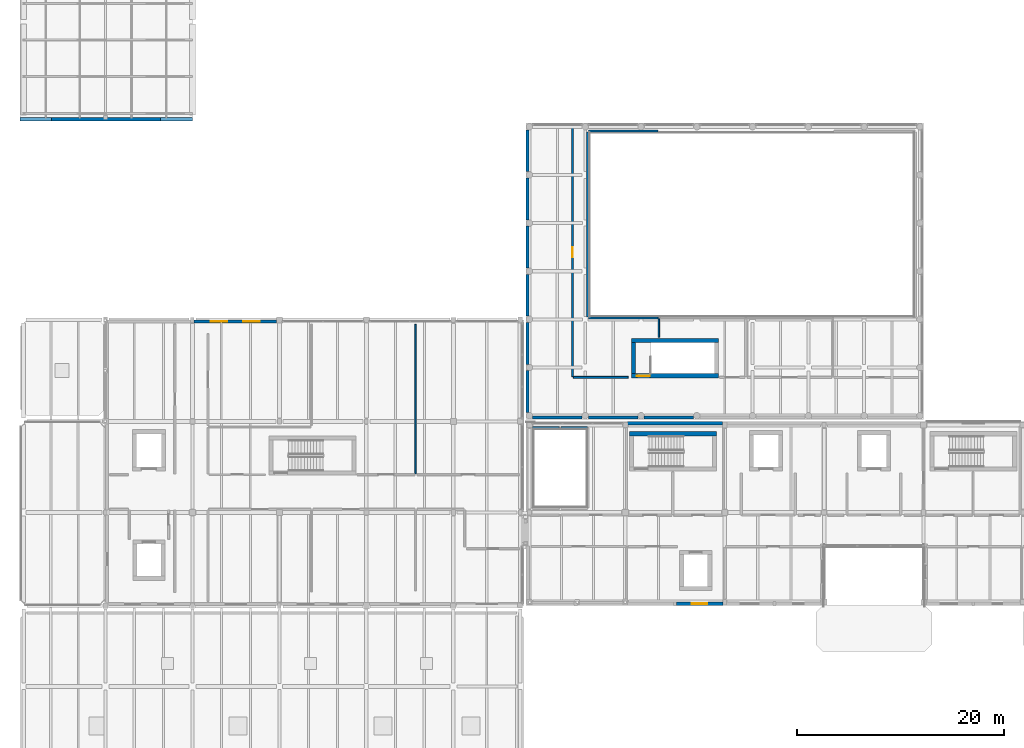
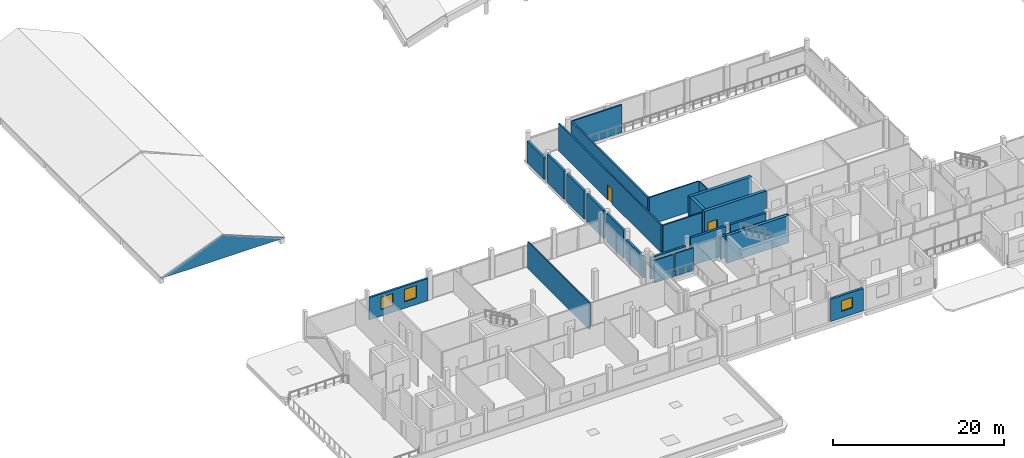
# One storey, part 42 of 66: 26 walls, 3 windows, 2 doors, 5 openings.
"""IFC4 building model written with IfcOpenShell, lengths in metres."""

import ifcopenshell
import ifcopenshell.guid

model = None  # the IFC model being written
_history = None  # IfcOwnerHistory: only IFC2X3 demands one
_inside = {}  # id of a spatial element -> (the spatial element, [elements in it])
_under = {}  # id of a project, library or spatial element -> (it, [spatial elements below it])
_declared = {}  # id of a project -> (the project, [libraries it declares])
_typed = {}  # id of a type object -> (the type object, [elements of that type])
_made_of = {}  # id of a material, layer set ... -> (it, [elements and type objects made of it])


def new_model(schema):
    """Start an empty IFC model of exactly this schema.

    Asked for "IFC4X3", IfcOpenShell would pick the latest addendum, in which some entities
    have other attributes; the version numbers below select the first issue.
    IFC2X3 requires an IfcOwnerHistory on every rooted entity: one is made here for all.
    """
    global model, _history
    if schema == "IFC4X3":
        model = ifcopenshell.file(schema_version=(4, 3, 0, 0))
    else:
        model = ifcopenshell.file(schema=schema)
    _inside.clear()
    _under.clear()
    _declared.clear()
    _typed.clear()
    _made_of.clear()
    _history = None
    if model.schema == "IFC2X3":
        org = make("IfcOrganization", Name="unknown")
        user = make(
            "IfcPersonAndOrganization",
            ThePerson=make("IfcPerson", FamilyName="unknown"),
            TheOrganization=org,
        )
        app = make(
            "IfcApplication",
            ApplicationDeveloper=org,
            Version="unknown",
            ApplicationFullName="unknown",
            ApplicationIdentifier="unknown",
        )
        _history = make(
            "IfcOwnerHistory",
            OwningUser=user,
            OwningApplication=app,
            ChangeAction="ADDED",
            CreationDate=0,
        )
    return model


def make(cls, **values):
    """One entity of the class cls with the attributes given. An attribute that is None is left unset."""
    return model.create_entity(
        cls, **{name: value for name, value in values.items() if value is not None}
    )


def rooted(cls, **values):
    """An entity with a GlobalId (a new one), such as an element, a storey or a relation."""
    return make(cls, GlobalId=ifcopenshell.guid.new(), OwnerHistory=_history, **values)


def si_unit(unit_type, name, prefix=None):
    """IfcSIUnit, for example si_unit("LENGTHUNIT", "METRE", prefix="MILLI")."""
    return make("IfcSIUnit", UnitType=unit_type, Prefix=prefix, Name=name)


def assignment(units):
    """IfcUnitAssignment: the units of a project."""
    return None if units is None else make("IfcUnitAssignment", Units=units)


def point(xyz):
    """IfcCartesianPoint."""
    return None if xyz is None else make("IfcCartesianPoint", Coordinates=xyz)


def direction(xyz):
    """IfcDirection."""
    return None if xyz is None else make("IfcDirection", DirectionRatios=xyz)


def frame(location, z_axis=None, x_axis=None):
    """IfcAxis2Placement3D, a coordinate frame: its origin and axes. An axis left out is left unset."""
    return make(
        "IfcAxis2Placement3D",
        Location=point(location),
        Axis=direction(z_axis),
        RefDirection=direction(x_axis),
    )


def frame_2d(location, x_axis=None):
    """IfcAxis2Placement2D, a coordinate frame in the plane: its origin and x axis."""
    return make(
        "IfcAxis2Placement2D", Location=point(location), RefDirection=direction(x_axis)
    )


def origin():
    """The frame at (0, 0, 0) with its axes left unset."""
    return frame((0.0, 0.0, 0.0))


def place(relative_to, where):
    """IfcLocalPlacement: puts the frame where relative to a parent placement (None: the world)."""
    return make(
        "IfcLocalPlacement", PlacementRelTo=relative_to, RelativePlacement=where
    )


def context(
    kind, dimensions, precision=None, world=None, true_north=None, identifier=None
):
    """IfcGeometricRepresentationContext, for example the 3D "Model" context."""
    return make(
        "IfcGeometricRepresentationContext",
        ContextIdentifier=identifier,
        ContextType=kind,
        CoordinateSpaceDimension=dimensions,
        Precision=precision,
        WorldCoordinateSystem=world,
        TrueNorth=true_north,
    )


def subcontext(parent, identifier, kind, view, scale=None):
    """IfcGeometricRepresentationSubContext, for example "Body" below "Model"."""
    return make(
        "IfcGeometricRepresentationSubContext",
        ContextIdentifier=identifier,
        ContextType=kind,
        ParentContext=parent,
        TargetScale=scale,
        TargetView=view,
    )


def project(units=None, contexts=None):
    """IfcProject with its units and contexts."""
    return rooted(
        "IfcProject",
        Name="project",
        RepresentationContexts=contexts,
        UnitsInContext=assignment(units),
    )


def spatial(cls, under=None, at=None, **own):
    """A site, building, storey or space (cls), placed at a placement, below another one or the project."""
    s = rooted(cls, ObjectPlacement=at, **own)
    if under is not None:
        _under.setdefault(under.id(), (under, []))[1].append(s)
    return s


def polyline(points):
    """IfcPolyline through the points."""
    return make("IfcPolyline", Points=[point(p) for p in points])


def profile(cls, at=None, kind="AREA", **sizes):
    """A parametric profile (cls). Its sizes go by their IFC names, for example OverallWidth=200.0."""
    return make(cls, ProfileType=kind, Position=at, **sizes)


def rectangle(**sizes):
    """IfcRectangleProfileDef."""
    return profile("IfcRectangleProfileDef", **sizes)


def outline(outer, holes=None, kind="AREA"):
    """IfcArbitraryClosedProfileDef: a profile drawn as a closed curve; with holes, ...WithVoids."""
    if holes is None:
        return make("IfcArbitraryClosedProfileDef", ProfileType=kind, OuterCurve=outer)
    return make(
        "IfcArbitraryProfileDefWithVoids",
        ProfileType=kind,
        OuterCurve=outer,
        InnerCurves=holes,
    )


def extrude(swept, where, along, depth):
    """IfcExtrudedAreaSolid: the profile swept, set in the frame where, extruded along a direction by depth."""
    return make(
        "IfcExtrudedAreaSolid",
        SweptArea=swept,
        Position=where,
        ExtrudedDirection=direction(along),
        Depth=depth,
    )


def shape(context_of_items, identifier, shape_type, items):
    """IfcShapeRepresentation: the items that make up one representation, for example the "Body"."""
    return make(
        "IfcShapeRepresentation",
        ContextOfItems=context_of_items,
        RepresentationIdentifier=identifier,
        RepresentationType=shape_type,
        Items=items,
    )


def material(Name=None, Category=None):
    """IfcMaterial."""
    return make("IfcMaterial", Name=Name, Category=Category)


def layer(
    of_material, thickness, ventilated=None, Name=None, Category=None, Priority=None
):
    """IfcMaterialLayer: one layer of a wall or slab, of a material (None: an air gap)."""
    return make(
        "IfcMaterialLayer",
        Material=of_material,
        LayerThickness=thickness,
        IsVentilated=ventilated,
        Name=Name,
        Category=Category,
        Priority=Priority,
    )


def layer_set(layers, Name=None):
    """IfcMaterialLayerSet."""
    return make("IfcMaterialLayerSet", MaterialLayers=layers, LayerSetName=Name)


def made_of(thing, what):
    """Note that an element or type object is made of a material, layer set ...; save() writes the relation."""
    if what is not None:
        _made_of.setdefault(what.id(), (what, []))[1].append(thing)
    return thing


def type_object(cls, material=None, **own):
    """A type object (cls), such as IfcWallType, which elements share."""
    return made_of(rooted(cls, **own), material)


def element(
    cls,
    number,
    at=None,
    inside=None,
    cuts=None,
    type_object=None,
    material=None,
    context=None,
    identifier="Body",
    shape_type=None,
    held_by="IfcProductDefinitionShape",
    body=None,
    shapes=None,
    **own,
):
    """One element of the class cls, such as IfcWall. Its Tag is "e" and its number.

    at: its placement. inside: the storey or other place that contains it. cuts: it is an
    opening in that element (IfcRelVoidsElement). A single representation is given by context,
    identifier, shape_type and body (its items); several are given by shapes. held_by: the class
    of the entity that holds the representations. save() writes the other relations.
    """
    e = rooted(cls, Tag="e%d" % number, ObjectPlacement=at, **own)
    if body is not None:
        shapes = [shape(context, identifier, shape_type, body)]
    if shapes is not None:
        e.Representation = make(held_by, Representations=shapes)
    if inside is not None:
        _inside.setdefault(inside.id(), (inside, []))[1].append(e)
    if cuts is not None:
        rooted(
            "IfcRelVoidsElement", RelatingBuildingElement=cuts, RelatedOpeningElement=e
        )
    if type_object is not None:
        _typed.setdefault(type_object.id(), (type_object, []))[1].append(e)
    return made_of(e, material)


def fill(opening, filler):
    """IfcRelFillsElement: the door or window that sits in an opening."""
    return rooted(
        "IfcRelFillsElement",
        RelatingOpeningElement=opening,
        RelatedBuildingElement=filler,
    )


def aggregate(whole, parts):
    """IfcRelAggregates: a whole, such as a stair, and the parts it consists of."""
    return rooted("IfcRelAggregates", RelatingObject=whole, RelatedObjects=parts)


def save(model, path):
    """Write the relations noted so far, then the file.

    IfcRelAggregates (storeys below a building ...), IfcRelContainedInSpatialStructure (elements
    in a storey), IfcRelDefinesByType, IfcRelAssociatesMaterial and IfcRelDeclares: one each for
    every whole, place, type object, material and project.
    """
    for whole, parts in _under.values():
        aggregate(whole, parts)
    for where, things in _inside.values():
        rooted(
            "IfcRelContainedInSpatialStructure",
            RelatedElements=things,
            RelatingStructure=where,
        )
    for kind, things in _typed.values():
        rooted("IfcRelDefinesByType", RelatedObjects=things, RelatingType=kind)
    for what, things in _made_of.values():
        rooted("IfcRelAssociatesMaterial", RelatedObjects=things, RelatingMaterial=what)
    for by, libraries in _declared.values():
        rooted("IfcRelDeclares", RelatingContext=by, RelatedDefinitions=libraries)
    model.write(path)


model = new_model("IFC4")

# Units and contexts
model_context = context("Model", 3, precision=1e-05, world=origin(), true_north=direction((0.0, 1.0)))
body_context = subcontext(model_context, "Body", "Model", "MODEL_VIEW")
ifc_project = project(units=[si_unit("LENGTHUNIT", "METRE"), si_unit("AREAUNIT", "SQUARE_METRE"), si_unit("VOLUMEUNIT", "CUBIC_METRE"), si_unit("PLANEANGLEUNIT", "RADIAN"), si_unit("MASSUNIT", "GRAM", prefix="KILO")], contexts=[model_context])

# Site, building, storey
site_placement = place(None, origin())
site = spatial("IfcSite", under=ifc_project, at=site_placement, CompositionType="ELEMENT")
building_placement = place(site_placement, origin())
building = spatial("IfcBuilding", under=site, at=building_placement, Name="Birchvale Park Specialist Clinic", CompositionType="ELEMENT")
storey_placement = place(building_placement, frame((0.0, 0.0, 5.39990234375)))
storey = spatial("IfcBuildingStorey", under=building, at=storey_placement, Name="L01", CompositionType="ELEMENT", Elevation=5.39990234375)

# Wall, opening, door
ifc_material_1 = material(Name="Concrete C40/50", Category="concrete")
ifc_layer_1 = layer(ifc_material_1, 0.39990234375)
ifc_layer_set_1 = layer_set([ifc_layer_1], Name="Concrete C40/50")
wall_type_1 = type_object("IfcWallType", Name="WL-CW-120", PredefinedType="SHEAR", material=ifc_layer_set_1)
wall_1_placement = place(storey_placement, frame((62.0, 39.0, 0.0), z_axis=(0.0, 0.0, 1.0), x_axis=(1.0, 0.0, 0.0)))
wall_1 = element("IfcWall", 1, at=wall_1_placement, inside=storey, type_object=wall_type_1, Name="L01 stair ST1 EI 120 enclosure wall (south)", PredefinedType="SHEAR", context=body_context, shape_type="SweptSolid", body=[
    extrude(rectangle(XDim=8.39990234375, YDim=0.39990234375, at=frame_2d((4.199951171875, 0.0))), origin(), (0.0, 0.0, 1.0), 3.9501953125),
])
opening_1_placement = place(wall_1_placement, frame((0.52001953125, 0.0, 0.0)))
opening_1 = element("IfcOpeningElement", 2, at=opening_1_placement, cuts=wall_1, Name="Opening ID-FD60", PredefinedType="OPENING", context=body_context, shape_type="SweptSolid", body=[
    extrude(rectangle(XDim=1.25, YDim=2.199951171875, at=frame_2d((0.625, 1.10009765625))), frame((0.0, 0.2099609375, 0.0), z_axis=(0.0, -1.0, 0.0), x_axis=(1.0, 0.0, 0.0)), (0.0, 0.0, 1.0), 0.419921875),
])
ifc_material_2 = material(Name="Solid-core birch veneer and anodised aluminium", Category="aluminium")
door_type_1 = type_object("IfcDoorType", Name="DR-ID-FD60", OperationType="NOTDEFINED", PredefinedType="DOOR", material=ifc_material_2)
door_1_placement = place(opening_1_placement, origin())
door_1 = element("IfcDoor", 3, at=door_1_placement, inside=storey, type_object=door_type_1, Name="L01 stair ST1 fire door", OperationType="SINGLE_SWING_RIGHT", OverallHeight=2.199951171875, OverallWidth=1.25, PredefinedType="DOOR", context=body_context, shape_type="SweptSolid", body=[
    extrude(rectangle(XDim=1.25, YDim=2.199951171875, at=frame_2d((0.625, 1.10009765625))), frame((0.0, 0.02490234375, 0.0), z_axis=(0.0, -1.0, 0.0), x_axis=(1.0, 0.0, 0.0)), (0.0, 0.0, 1.0), 0.050048828125),
])
fill(opening_1, door_1)

# Walls
wall_2_placement = place(storey_placement, frame((70.39990234375, 42.39990234375, 0.0), z_axis=(0.0, 0.0, 1.0), x_axis=(-1.0, 0.0, 0.0)))
element("IfcWall", 4, at=wall_2_placement, inside=storey, type_object=wall_type_1, Name="L01 stair ST1 EI 120 enclosure wall (north)", PredefinedType="SHEAR", context=body_context, shape_type="SweptSolid", body=[
    extrude(rectangle(XDim=8.39990234375, YDim=0.39990234375, at=frame_2d((4.199951171875, 0.0))), origin(), (0.0, 0.0, 1.0), 3.9501953125),
])
wall_3_placement = place(storey_placement, frame((62.199951171875, 39.199951171875, 0.0), z_axis=(0.0, 0.0, 1.0), x_axis=(0.0, 1.0, 0.0)))
element("IfcWall", 5, at=wall_3_placement, inside=storey, type_object=wall_type_1, Name="L01 stair ST1 EI 120 enclosure wall (west)", PredefinedType="SHEAR", context=body_context, shape_type="SweptSolid", body=[
    extrude(rectangle(XDim=3.0, YDim=0.39990234375, at=frame_2d((1.5, 0.0))), origin(), (0.0, 0.0, 1.0), 3.9501953125),
])
wall_4_placement = place(storey_placement, frame((70.199951171875, 33.39990234375, 0.0), z_axis=(0.0, 0.0, 1.0), x_axis=(-1.0, 0.0, 0.0)))
element("IfcWall", 6, at=wall_4_placement, inside=storey, type_object=wall_type_1, Name="L01 stair ST4 EI 120 enclosure wall (north)", PredefinedType="SHEAR", context=body_context, shape_type="SweptSolid", body=[
    extrude(rectangle(XDim=8.39990234375, YDim=0.39990234375, at=frame_2d((4.199951171875, 0.0))), origin(), (0.0, 0.0, 1.0), 3.920166015625),
])

# Wall, opening, window
ifc_material_3 = material(Name="Lime-white mineral-rendered insulated masonry", Category="masonry")
ifc_layer_2 = layer(ifc_material_3, 0.340087890625)
ifc_layer_set_2 = layer_set([ifc_layer_2], Name="Lime-white mineral-rendered insulated masonry")
wall_type_2 = type_object("IfcWallType", Name="WL-EW-01", PredefinedType="STANDARD", material=ifc_layer_set_2)
wall_5_placement = place(storey_placement, frame((66.3349609375, 16.989990234375, 0.0), z_axis=(0.0, 0.0, 1.0), x_axis=(1.0, 0.0, 0.0)))
wall_5 = element("IfcWall", 7, at=wall_5_placement, inside=storey, type_object=wall_type_2, Name="V4 L01 exterior facade wall 140", PredefinedType="STANDARD", context=body_context, shape_type="SweptSolid", body=[
    extrude(rectangle(XDim=4.485107421875, YDim=0.340087890625, at=frame_2d((2.24267578125, 0.0))), origin(), (0.0, 0.0, 1.0), 3.18505859375),
])
opening_2_placement = place(wall_5_placement, frame((1.492431640625, 0.0, 0.949951171875)))
opening_2 = element("IfcOpeningElement", 8, at=opening_2_placement, cuts=wall_5, Name="Opening W-SQ15", PredefinedType="OPENING", context=body_context, shape_type="SweptSolid", body=[
    extrude(rectangle(XDim=1.5, YDim=1.5, at=frame_2d((0.75, 0.75))), frame((0.0, 0.18017578125, 0.0), z_axis=(0.0, -1.0, 0.0), x_axis=(1.0, 0.0, 0.0)), (0.0, 0.0, 1.0), 0.360107421875),
])
ifc_material_4 = material(Name="Solar-control low-E double glazing", Category="glass")
window_type_1 = type_object("IfcWindowType", Name="WIN-W-SQ15", PartitioningType="SINGLE_PANEL", PredefinedType="WINDOW", material=ifc_material_4)
window_1_placement = place(opening_2_placement, origin())
window_1 = element("IfcWindow", 9, at=window_1_placement, inside=storey, type_object=window_type_1, Name="V4 L01 cased window 34", OverallHeight=1.5, OverallWidth=1.5, PartitioningType="SINGLE_PANEL", PredefinedType="WINDOW", context=body_context, shape_type="SweptSolid", body=[
    extrude(rectangle(XDim=1.5, YDim=1.5, at=frame_2d((0.75, 0.75))), frame((0.0, 0.030029296875, 0.0), z_axis=(0.0, -1.0, 0.0), x_axis=(1.0, 0.0, 0.0)), (0.0, 0.0, 1.0), 0.06005859375),
])
fill(opening_2, window_1)

# Walls
wall_6_placement = place(storey_placement, frame((70.794921875, 34.409912109375, 0.0), z_axis=(0.0, 0.0, 1.0), x_axis=(-1.0, 0.0, 0.0)))
element("IfcWall", 10, at=wall_6_placement, inside=storey, type_object=wall_type_2, Name="V4 L01 exterior facade wall 156", PredefinedType="STANDARD", context=body_context, shape_type="SweptSolid", body=[
    extrude(rectangle(XDim=9.159912109375, YDim=0.340087890625, at=frame_2d((4.580078125, 0.0))), origin(), (0.0, 0.0, 1.0), 3.18505859375),
])
ifc_layer_3 = layer(ifc_material_3, 0.31005859375)
ifc_layer_set_3 = layer_set([ifc_layer_3], Name="Lime-white mineral-rendered insulated masonry")
wall_type_3 = type_object("IfcWallType", Name="WL-EW-02", PredefinedType="STANDARD", material=ifc_layer_set_3)
wall_7_placement = place(storey_placement, frame((2.949951171875, 63.780029296875, 0.0), z_axis=(0.0, 0.0, 1.0), x_axis=(1.0, 0.0, 0.0)))
element("IfcWall", 11, at=wall_7_placement, inside=storey, type_object=wall_type_3, Name="L01 west park pavilion gable wall S", PredefinedType="STANDARD", context=body_context, shape_type="SweptSolid", body=[
    extrude(outline(polyline([(0.0, 0.0), (16.650146484375, 0.0), (16.64990234375, 0.0), (8.25, 3.25), (0.0, 0.0), (0.0, 0.0)])), frame((0.0, 0.155029296875, 0.0), z_axis=(0.0, -1.0, 0.0), x_axis=(1.0, 0.0, 0.0)), (0.0, 0.0, 1.0), 0.31005859375),
])
ifc_layer_4 = layer(ifc_material_3, 0.2900390625)
ifc_layer_set_4 = layer_set([ifc_layer_4], Name="Lime-white mineral-rendered insulated masonry")
wall_type_4 = type_object("IfcWallType", Name="WL-EW-03", PredefinedType="STANDARD", material=ifc_layer_set_4)
wall_8_placement = place(storey_placement, frame((52.455078125, 34.965087890625, 0.0), z_axis=(0.0, 0.0, 1.0), x_axis=(1.0, 0.0, 0.0)))
element("IfcWall", 12, at=wall_8_placement, inside=storey, type_object=wall_type_4, Name="V1 L01 exterior facade wall 114", PredefinedType="STANDARD", context=body_context, shape_type="SweptSolid", body=[
    extrude(rectangle(XDim=4.775634765625, YDim=0.2900390625, at=frame_2d((2.3876953125, 0.0))), origin(), (0.0, 0.0, 1.0), 3.065185546875),
])
wall_9_placement = place(storey_placement, frame((57.8408203125, 34.965087890625, 0.0), z_axis=(0.0, 0.0, 1.0), x_axis=(1.0, 0.0, 0.0)))
element("IfcWall", 13, at=wall_9_placement, inside=storey, type_object=wall_type_4, Name="V1 L01 exterior facade wall 115", PredefinedType="STANDARD", context=body_context, shape_type="SweptSolid", body=[
    extrude(rectangle(XDim=4.775634765625, YDim=0.2900390625, at=frame_2d((2.3876953125, 0.0))), origin(), (0.0, 0.0, 1.0), 4.02001953125),
])
wall_10_placement = place(storey_placement, frame((63.226318359375, 34.965087890625, 0.0), z_axis=(0.0, 0.0, 1.0), x_axis=(1.0, 0.0, 0.0)))
element("IfcWall", 14, at=wall_10_placement, inside=storey, type_object=wall_type_4, Name="V1 L01 exterior facade wall 116", PredefinedType="STANDARD", context=body_context, shape_type="SweptSolid", body=[
    extrude(rectangle(XDim=4.77587890625, YDim=0.2900390625, at=frame_2d((2.387939453125, 0.0))), origin(), (0.0, 0.0, 1.0), 4.02001953125),
])
wall_11_placement = place(storey_placement, frame((51.965087890625, 62.7451171875, 0.0), z_axis=(0.0, 0.0, 1.0), x_axis=(0.0, -1.0, 0.0)))
element("IfcWall", 15, at=wall_11_placement, inside=storey, type_object=wall_type_4, Name="V1 L01 exterior facade wall 121", PredefinedType="STANDARD", context=body_context, shape_type="SweptSolid", body=[
    extrude(rectangle(XDim=4.0400390625, YDim=0.2900390625, at=frame_2d((2.02001953125, 0.0))), origin(), (0.0, 0.0, 1.0), 3.065185546875),
])
for number, where, z_axis, x_axis, name in (
    (16, (51.965087890625, 58.094970703125, 0.0), (0.0, 0.0, 1.0), (0.0, -1.0, 0.0), "V1 L01 exterior facade wall 122"),
    (17, (51.965087890625, 53.445068359375, 0.0), (0.0, 0.0, 1.0), (0.0, -1.0, 0.0), "V1 L01 exterior facade wall 123"),
    (18, (51.965087890625, 48.794921875, 0.0), (0.0, 0.0, 1.0), (0.0, -1.0, 0.0), "V1 L01 exterior facade wall 124"),
    (19, (51.965087890625, 44.14501953125, 0.0), (0.0, 0.0, 1.0), (0.0, -1.0, 0.0), "V1 L01 exterior facade wall 125"),
):
    element("IfcWall", number, at=place(storey_placement, frame(where, z_axis=z_axis, x_axis=x_axis)), inside=storey, type_object=wall_type_4, Name=name, PredefinedType="STANDARD", context=body_context, shape_type="SweptSolid", body=[
        extrude(rectangle(XDim=4.0400390625, YDim=0.2900390625, at=frame_2d((2.02001953125, 0.0))), origin(), (0.0, 0.0, 1.0), 4.02001953125),
    ])
wall_12_placement = place(storey_placement, frame((51.965087890625, 39.4951171875, 0.0), z_axis=(0.0, 0.0, 1.0), x_axis=(0.0, -1.0, 0.0)))
element("IfcWall", 20, at=wall_12_placement, inside=storey, type_object=wall_type_4, Name="V1 L01 exterior facade wall 126", PredefinedType="STANDARD", context=body_context, shape_type="SweptSolid", body=[
    extrude(rectangle(XDim=4.0400390625, YDim=0.2900390625, at=frame_2d((2.02001953125, 0.0))), origin(), (0.0, 0.0, 1.0), 3.065185546875),
])

# Wall, openings, windows
ifc_layer_5 = layer(ifc_material_3, 0.27001953125)
ifc_layer_set_5 = layer_set([ifc_layer_5], Name="Lime-white mineral-rendered insulated masonry")
wall_type_5 = type_object("IfcWallType", Name="WL-EW-04", PredefinedType="STANDARD", material=ifc_layer_set_5)
wall_13_placement = place(storey_placement, frame((27.705078125, 44.2451171875, 0.0), z_axis=(0.0, 0.0, 1.0), x_axis=(-1.0, 0.0, 0.0)))
wall_13 = element("IfcWall", 21, at=wall_13_placement, inside=storey, type_object=wall_type_5, Name="V2 L01 exterior facade wall 132", PredefinedType="STANDARD", context=body_context, shape_type="SweptSolid", body=[
    extrude(rectangle(XDim=7.93505859375, YDim=0.27001953125, at=frame_2d((3.967529296875, 0.0))), origin(), (0.0, 0.0, 1.0), 3.18505859375),
])
opening_3_placement = place(wall_13_placement, frame((1.58056640625, 0.0, 0.949951171875)))
opening_3 = element("IfcOpeningElement", 22, at=opening_3_placement, cuts=wall_13, Name="Opening W-CL04", PredefinedType="OPENING", context=body_context, shape_type="SweptSolid", body=[
    extrude(rectangle(XDim=1.60009765625, YDim=1.75, at=frame_2d((0.800048828125, 0.875))), frame((0.0, 0.14501953125, 0.0), z_axis=(0.0, -1.0, 0.0), x_axis=(1.0, 0.0, 0.0)), (0.0, 0.0, 1.0), 0.2900390625),
])
opening_4_placement = place(wall_13_placement, frame((4.75439453125, 0.0, 0.949951171875)))
opening_4 = element("IfcOpeningElement", 23, at=opening_4_placement, cuts=wall_13, Name="Opening W-CL04", PredefinedType="OPENING", context=body_context, shape_type="SweptSolid", body=[
    extrude(rectangle(XDim=1.60009765625, YDim=1.75, at=frame_2d((0.800048828125, 0.875))), frame((0.0, 0.14501953125, 0.0), z_axis=(0.0, -1.0, 0.0), x_axis=(1.0, 0.0, 0.0)), (0.0, 0.0, 1.0), 0.2900390625),
])
window_type_2 = type_object("IfcWindowType", Name="WIN-W-CL04", PartitioningType="SINGLE_PANEL", PredefinedType="WINDOW", material=ifc_material_4)
window_2_placement = place(opening_3_placement, origin())
window_2 = element("IfcWindow", 24, at=window_2_placement, inside=storey, type_object=window_type_2, Name="V2 L01 cased window 32", OverallHeight=1.75, OverallWidth=1.60009765625, PartitioningType="SINGLE_PANEL", PredefinedType="WINDOW", context=body_context, shape_type="SweptSolid", body=[
    extrude(rectangle(XDim=1.60009765625, YDim=1.75, at=frame_2d((0.800048828125, 0.875))), frame((0.0, 0.030029296875, 0.0), z_axis=(0.0, -1.0, 0.0), x_axis=(1.0, 0.0, 0.0)), (0.0, 0.0, 1.0), 0.06005859375),
])
fill(opening_3, window_2)
window_3_placement = place(opening_4_placement, origin())
window_3 = element("IfcWindow", 25, at=window_3_placement, inside=storey, type_object=window_type_2, Name="V2 L01 cased window 33", OverallHeight=1.75, OverallWidth=1.60009765625, PartitioningType="SINGLE_PANEL", PredefinedType="WINDOW", context=body_context, shape_type="SweptSolid", body=[
    extrude(rectangle(XDim=1.60009765625, YDim=1.75, at=frame_2d((0.800048828125, 0.875))), frame((0.0, 0.030029296875, 0.0), z_axis=(0.0, -1.0, 0.0), x_axis=(1.0, 0.0, 0.0)), (0.0, 0.0, 1.0), 0.06005859375),
])
fill(opening_4, window_3)

# Walls
ifc_material_5 = material(Name="Acoustic gypsum board on metal framing")
ifc_layer_6 = layer(ifc_material_5, 0.1650390625)
ifc_layer_set_6 = layer_set([ifc_layer_6], Name="Acoustic gypsum board on metal framing")
wall_type_6 = type_object("IfcWallType", Name="WL-IW-01", PredefinedType="PARTITIONING", material=ifc_layer_set_6)
wall_14_placement = place(storey_placement, frame((57.860107421875, 44.580078125, 0.0), z_axis=(0.0, 0.0, 1.0), x_axis=(1.0, 0.0, 0.0)))
element("IfcWall", 26, at=wall_14_placement, inside=storey, type_object=wall_type_6, Name="V1 L01 clinical partition 289", PredefinedType="PARTITIONING", context=body_context, shape_type="SweptSolid", body=[
    extrude(rectangle(XDim=6.704833984375, YDim=0.1650390625, at=frame_2d((3.3525390625, 0.0))), origin(), (0.0, 0.0, 1.0), 3.9501953125),
])
wall_15_placement = place(storey_placement, frame((41.1533203125, 43.9599609375, 0.0), z_axis=(0.0, 0.0, 1.0), x_axis=(0.0, -1.0, 0.0)))
element("IfcWall", 27, at=wall_15_placement, inside=storey, type_object=wall_type_6, Name="V2 L01 clinical partition 320", PredefinedType="PARTITIONING", context=body_context, shape_type="SweptSolid", body=[
    extrude(rectangle(XDim=14.429931640625, YDim=0.1650390625, at=frame_2d((7.21484375, 0.0))), origin(), (0.0, 0.0, 1.0), 3.85009765625),
])
ifc_layer_7 = layer(ifc_material_5, 0.14990234375)
ifc_layer_set_7 = layer_set([ifc_layer_7], Name="Acoustic gypsum board on metal framing")
wall_type_7 = type_object("IfcWallType", Name="WL-IW-02", PredefinedType="PARTITIONING", material=ifc_layer_set_7)
wall_16_placement = place(storey_placement, frame((64.64501953125, 44.5, 0.0), z_axis=(0.0, 0.0, 1.0), x_axis=(0.0, -1.0, 0.0)))
element("IfcWall", 28, at=wall_16_placement, inside=storey, type_object=wall_type_7, Name="V1 L01 clinical partition 290", PredefinedType="PARTITIONING", context=body_context, shape_type="SweptSolid", body=[
    extrude(rectangle(XDim=1.800048828125, YDim=0.14990234375, at=frame_2d((0.89990234375, 0.0))), origin(), (0.0, 0.0, 1.0), 3.9501953125),
])
ifc_layer_8 = layer(ifc_material_5, 0.139892578125)
ifc_layer_set_8 = layer_set([ifc_layer_8], Name="Acoustic gypsum board on metal framing")
wall_type_8 = type_object("IfcWallType", Name="WL-IW-03", PredefinedType="PARTITIONING", material=ifc_layer_set_8)
wall_17_placement = place(storey_placement, frame((55.0, 34.02001953125, 0.0), z_axis=(0.0, 0.0, 1.0), x_axis=(-1.0, 0.0, 0.0)))
element("IfcWall", 29, at=wall_17_placement, inside=storey, type_object=wall_type_8, Name="V4 L01 clinical partition 337", PredefinedType="PARTITIONING", context=body_context, shape_type="SweptSolid", body=[
    extrude(rectangle(XDim=2.5400390625, YDim=0.139892578125, at=frame_2d((1.27001953125, 0.0))), origin(), (0.0, 0.0, 1.0), 3.215087890625),
])
ifc_layer_9 = layer(ifc_material_5, 0.125)
ifc_layer_set_9 = layer_set([ifc_layer_9], Name="Acoustic gypsum board on metal framing")
wall_type_9 = type_object("IfcWallType", Name="WL-IW-04", PredefinedType="PARTITIONING", material=ifc_layer_set_9)
wall_18_placement = place(storey_placement, frame((57.739990234375, 34.02001953125, 0.0), z_axis=(0.0, 0.0, 1.0), x_axis=(-1.0, 0.0, 0.0)))
element("IfcWall", 30, at=wall_18_placement, inside=storey, type_object=wall_type_9, Name="V4 L01 clinical partition 343", PredefinedType="PARTITIONING", context=body_context, shape_type="SweptSolid", body=[
    extrude(rectangle(XDim=2.5400390625, YDim=0.125, at=frame_2d((1.27001953125, 0.0))), origin(), (0.0, 0.0, 1.0), 3.215087890625),
])
ifc_layer_10 = layer(ifc_material_5, 0.195068359375)
ifc_layer_set_10 = layer_set([ifc_layer_10], Name="Acoustic gypsum board on metal framing")
wall_type_10 = type_object("IfcWallType", Name="WL-IW-07", PredefinedType="PARTITIONING", material=ifc_layer_set_10)
wall_19_placement = place(storey_placement, frame((64.56494140625, 62.6201171875, 0.0), z_axis=(0.0, 0.0, 1.0), x_axis=(-1.0, 0.0, 0.0)))
element("IfcWall", 31, at=wall_19_placement, inside=storey, type_object=wall_type_10, Name="V1 L01 clinical partition 287", PredefinedType="PARTITIONING", context=body_context, shape_type="SweptSolid", body=[
    extrude(rectangle(XDim=6.704833984375, YDim=0.195068359375, at=frame_2d((3.3525390625, 0.0))), origin(), (0.0, 0.0, 1.0), 3.9501953125),
])
ifc_layer_11 = layer(ifc_material_5, 0.239990234375)
ifc_layer_set_11 = layer_set([ifc_layer_11], Name="Acoustic gypsum board on metal framing")
wall_type_11 = type_object("IfcWallType", Name="WL-IW-08", PredefinedType="PARTITIONING", material=ifc_layer_set_11)
wall_20_placement = place(storey_placement, frame((57.780029296875, 62.5400390625, 0.0), z_axis=(0.0, 0.0, 1.0), x_axis=(0.0, -1.0, 0.0)))
element("IfcWall", 32, at=wall_20_placement, inside=storey, type_object=wall_type_11, Name="V1 L01 clinical partition 288", PredefinedType="PARTITIONING", context=body_context, shape_type="SweptSolid", body=[
    extrude(rectangle(XDim=17.880126953125, YDim=0.239990234375, at=frame_2d((8.93994140625, 0.0))), origin(), (0.0, 0.0, 1.0), 3.9501953125),
])
ifc_layer_12 = layer(ifc_material_5, 0.179931640625)
ifc_layer_set_12 = layer_set([ifc_layer_12], Name="Acoustic gypsum board on metal framing")
wall_type_12 = type_object("IfcWallType", Name="WL-IW-60", PredefinedType="PARTITIONING", material=ifc_layer_set_12)
wall_21_placement = place(storey_placement, frame((61.6650390625, 38.85009765625, 0.0), z_axis=(0.0, 0.0, 1.0), x_axis=(-1.0, 0.0, 0.0)))
element("IfcWall", 33, at=wall_21_placement, inside=storey, type_object=wall_type_12, Name="V1 L01 clinical partition 285", PredefinedType="PARTITIONING", context=body_context, shape_type="SweptSolid", body=[
    extrude(rectangle(XDim=5.28515625, YDim=0.179931640625, at=frame_2d((2.642578125, 0.0))), origin(), (0.0, 0.0, 1.0), 3.9501953125),
])

# Wall, opening, door
wall_22_placement = place(storey_placement, frame((56.300048828125, 38.929931640625, 0.0), z_axis=(0.0, 0.0, 1.0), x_axis=(0.0, 1.0, 0.0)))
wall_22 = element("IfcWall", 34, at=wall_22_placement, inside=storey, type_object=wall_type_12, Name="V1 L01 clinical partition 286", PredefinedType="PARTITIONING", context=body_context, shape_type="SweptSolid", body=[
    extrude(rectangle(XDim=24.030029296875, YDim=0.179931640625, at=frame_2d((12.01513671875, 0.0))), origin(), (0.0, 0.0, 1.0), 3.9501953125),
])
opening_5_placement = place(wall_22_placement, frame((11.534912109375, 0.0, 0.0)))
opening_5 = element("IfcOpeningElement", 35, at=opening_5_placement, cuts=wall_22, Name="Opening ID-04", PredefinedType="OPENING", context=body_context, shape_type="SweptSolid", body=[
    extrude(rectangle(XDim=0.9599609375, YDim=2.10009765625, at=frame_2d((0.47998046875, 1.050048828125))), frame((0.0, 0.10009765625, 0.0), z_axis=(0.0, -1.0, 0.0), x_axis=(1.0, 0.0, 0.0)), (0.0, 0.0, 1.0), 0.199951171875),
])
door_type_2 = type_object("IfcDoorType", Name="DR-ID-04", OperationType="NOTDEFINED", PredefinedType="DOOR", material=ifc_material_2)
door_2_placement = place(opening_5_placement, origin())
door_2 = element("IfcDoor", 36, at=door_2_placement, inside=storey, type_object=door_type_2, Name="L01 Chemotherapy Infusion Suite door", OperationType="SINGLE_SWING_LEFT", OverallHeight=2.10009765625, OverallWidth=0.9599609375, PredefinedType="DOOR", context=body_context, shape_type="SweptSolid", body=[
    extrude(rectangle(XDim=0.9599609375, YDim=2.10009765625, at=frame_2d((0.47998046875, 1.050048828125))), frame((0.0, 0.02490234375, 0.0), z_axis=(0.0, -1.0, 0.0), x_axis=(1.0, 0.0, 0.0)), (0.0, 0.0, 1.0), 0.050048828125),
])
fill(opening_5, door_2)

save(model, "model.ifc")
